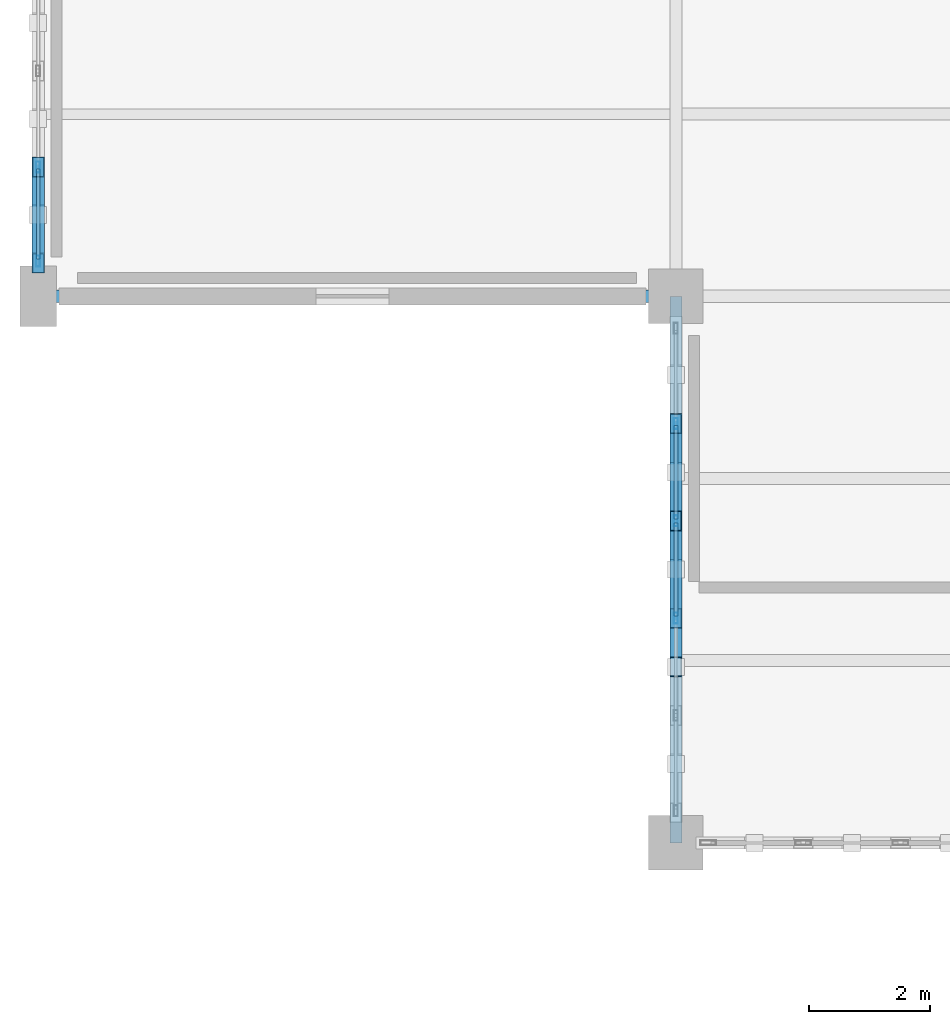
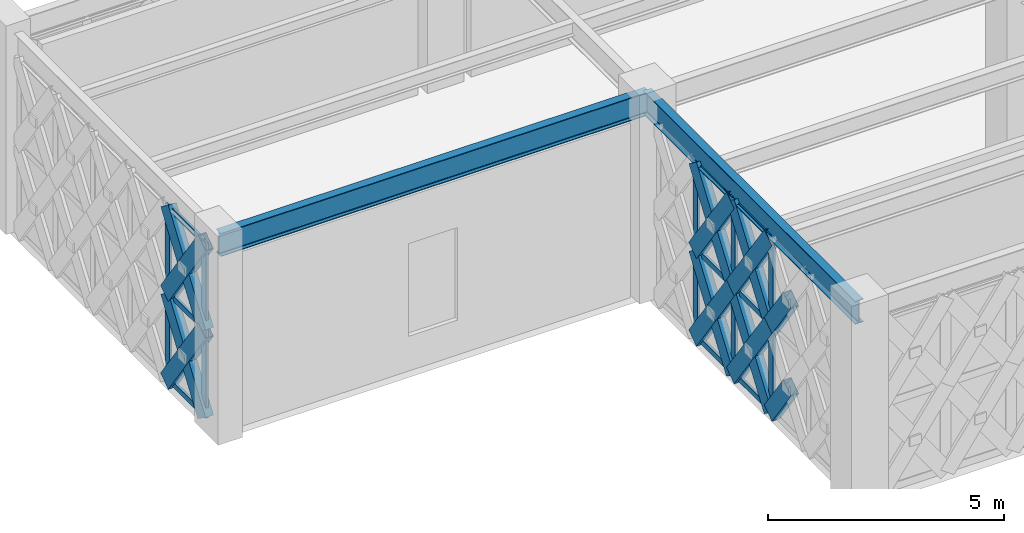
# One storey, part 12 of 166: 34 members, 2 beams, 2 elements without a shape of their own.
"""IFC4 building model written with IfcOpenShell, lengths in metres."""

from ifc_helpers import new_model, si_unit, direction, frame, origin, origin_2d, place, context, subcontext, project, spatial, hollow_rectangle, i_section, extrude, material, material_profile, profile_set, type_object, element, aggregate, save


model = new_model("IFC4")

# Units and contexts
model_context = context("Model", 3, precision=1e-05, world=origin(), true_north=direction((0.0, 1.0)))
body_context = subcontext(model_context, "Body", "Model", "MODEL_VIEW")
ifc_project = project(units=[si_unit("LENGTHUNIT", "METRE"), si_unit("AREAUNIT", "SQUARE_METRE"), si_unit("VOLUMEUNIT", "CUBIC_METRE"), si_unit("PLANEANGLEUNIT", "RADIAN"), si_unit("MASSUNIT", "GRAM", prefix="KILO")], contexts=[model_context])

# Site, building, storey
site_placement = place(None, origin())
site = spatial("IfcSite", under=ifc_project, at=site_placement, CompositionType="ELEMENT")
building_placement = place(site_placement, origin())
building = spatial("IfcBuilding", under=site, at=building_placement, Name="Haizhuo Lancet Aquarium", CompositionType="ELEMENT")
storey_placement = place(building_placement, frame((0.0, 0.0, 5.39990234375)))
storey = spatial("IfcBuildingStorey", under=building, at=storey_placement, Name="L01", CompositionType="ELEMENT", Elevation=5.39990234375)

# Beams
ifc_material_1 = material(Name="Steel S355", Category="steel")
ifc_material_profile_1 = material_profile(ifc_material_1, i_section(OverallWidth=0.199951171875, OverallDepth=0.60009765625, WebThickness=0.010986328125, FlangeThickness=0.01708984375, FilletRadius=0.02197265625, at=origin_2d()), Name="HN 600x200x11x17")
ifc_profile_set_1 = profile_set([ifc_material_profile_1], Name="Steel S355")
beam_type = type_object("IfcBeamType", Name="BM-ST-HN600", PredefinedType="BEAM", material=ifc_profile_set_1)
beam_1_placement = place(storey_placement, frame((-82.5, -18.0, 4.840087890625), z_axis=(1.0, 0.0, 0.0), x_axis=(0.0, 1.0, 0.0)))
element("IfcBeam", 1, at=beam_1_placement, inside=storey, type_object=beam_type, Name="L01 V6 primary girder BM-L01-V6-002", PredefinedType="BEAM", context=body_context, shape_type="SweptSolid", body=[
    extrude(i_section(OverallWidth=0.199951171875, OverallDepth=0.60009765625, WebThickness=0.010986328125, FlangeThickness=0.01708984375, FilletRadius=0.02197265625, at=origin_2d()), origin(), (0.0, 0.0, 1.0), 10.5),
])
beam_2_placement = place(storey_placement, frame((-72.0, -27.0, 4.840087890625), z_axis=(0.0, 1.0, 0.0), x_axis=(-1.0, 0.0, 0.0)))
element("IfcBeam", 2, at=beam_2_placement, inside=storey, type_object=beam_type, Name="L01 V6 primary girder BM-L01-V6-004", PredefinedType="BEAM", context=body_context, shape_type="SweptSolid", body=[
    extrude(i_section(OverallWidth=0.199951171875, OverallDepth=0.60009765625, WebThickness=0.010986328125, FlangeThickness=0.01708984375, FilletRadius=0.02197265625, at=origin_2d()), origin(), (0.0, 0.0, 1.0), 9.0),
])

# Curtain wall, members
ifc_material_2 = material(Name="Aluminium 6063-T6", Category="aluminium")
curtain_wall_type_1 = type_object("IfcCurtainWallType", Name="CWD-7910x4540", PredefinedType="NOTDEFINED", material=ifc_material_2)
curtain_wall_1_placement = place(storey_placement, origin())
curtain_wall_1 = element("IfcCurtainWall", 3, at=curtain_wall_1_placement, inside=storey, type_object=curtain_wall_type_1, Name="L01 curtain wall CW-V6-L01-202", PredefinedType="NOTDEFINED")
ifc_material_profile_2 = material_profile(ifc_material_2, hollow_rectangle(XDim=0.06494140625, YDim=0.179931640625, WallThickness=0.00390625, at=origin_2d()), Name="ALU-M 65x180x4")
ifc_profile_set_2 = profile_set([ifc_material_profile_2], Name="Aluminium 6063-T6")
member_type_1 = type_object("IfcMemberType", Name="CW-MUL-1", PredefinedType="MULLION", material=ifc_profile_set_2)
member_1_placement = place(storey_placement, frame((-82.5, -17.422119140625, 0.0), z_axis=(0.0, 0.0, 1.0), x_axis=(-1.0, 0.0, 0.0)))
member_1 = element("IfcMember", 4, at=member_1_placement, type_object=member_type_1, Name="CWD-79x45 mullion 1", PredefinedType="MULLION", context=body_context, shape_type="SweptSolid", body=[
    extrude(hollow_rectangle(XDim=0.06494140625, YDim=0.179931640625, WallThickness=0.00390625, at=origin_2d()), origin(), (0.0, 0.0, 1.0), 4.5400390625),
])
member_2_placement = place(storey_placement, frame((-82.5, -15.873046875, 0.0), z_axis=(0.0, 0.0, 1.0), x_axis=(-1.0, 0.0, 0.0)))
member_2 = element("IfcMember", 5, at=member_2_placement, type_object=member_type_1, Name="CWD-79x45 mullion 2", PredefinedType="MULLION", context=body_context, shape_type="SweptSolid", body=[
    extrude(hollow_rectangle(XDim=0.06494140625, YDim=0.179931640625, WallThickness=0.00390625, at=origin_2d()), origin(), (0.0, 0.0, 1.0), 4.5400390625),
])

curtain_wall_type_2 = type_object("IfcCurtainWallType", Name="CWD-8010x4540", PredefinedType="NOTDEFINED", material=ifc_material_2)
curtain_wall_2_placement = place(storey_placement, origin())
curtain_wall_2 = element("IfcCurtainWall", 6, at=curtain_wall_2_placement, inside=storey, type_object=curtain_wall_type_2, Name="L01 curtain wall CW-V6-L01-211", PredefinedType="NOTDEFINED")
member_3_placement = place(storey_placement, frame((-72.0, -23.301025390625, 0.0), z_axis=(0.0, 0.0, 1.0), x_axis=(-1.0, 0.0, 0.0)))
member_3 = element("IfcMember", 7, at=member_3_placement, type_object=member_type_1, Name="CWD-80x45 mullion 3", PredefinedType="MULLION", context=body_context, shape_type="SweptSolid", body=[
    extrude(hollow_rectangle(XDim=0.06494140625, YDim=0.179931640625, WallThickness=0.00390625, at=origin_2d()), origin(), (0.0, 0.0, 1.0), 4.5400390625),
])
member_4_placement = place(storey_placement, frame((-72.0, -21.698974609375, 0.0), z_axis=(0.0, 0.0, 1.0), x_axis=(-1.0, 0.0, 0.0)))
member_4 = element("IfcMember", 8, at=member_4_placement, type_object=member_type_1, Name="CWD-80x45 mullion 4", PredefinedType="MULLION", context=body_context, shape_type="SweptSolid", body=[
    extrude(hollow_rectangle(XDim=0.06494140625, YDim=0.179931640625, WallThickness=0.00390625, at=origin_2d()), origin(), (0.0, 0.0, 1.0), 4.5400390625),
])
member_5_placement = place(storey_placement, frame((-72.0, -20.096923828125, 0.0), z_axis=(0.0, 0.0, 1.0), x_axis=(-1.0, 0.0, 0.0)))
member_5 = element("IfcMember", 9, at=member_5_placement, type_object=member_type_1, Name="CWD-80x45 mullion 5", PredefinedType="MULLION", context=body_context, shape_type="SweptSolid", body=[
    extrude(hollow_rectangle(XDim=0.06494140625, YDim=0.179931640625, WallThickness=0.00390625, at=origin_2d()), origin(), (0.0, 0.0, 1.0), 4.5400390625),
])

# Member
ifc_material_profile_3 = material_profile(ifc_material_2, hollow_rectangle(XDim=0.06494140625, YDim=0.139892578125, WallThickness=0.00390625, at=origin_2d()), Name="ALU-T 65x140x4")
ifc_profile_set_3 = profile_set([ifc_material_profile_3], Name="Aluminium 6063-T6")
member_type_2 = type_object("IfcMemberType", Name="CW-TRN-1", PredefinedType="NOTDEFINED", material=ifc_profile_set_3)
member_6_placement = place(storey_placement, frame((-82.5, -17.389892578125, 0.033203125), z_axis=(0.0, 1.0, 0.0), x_axis=(-1.0, 0.0, 0.0)))
member_6 = element("IfcMember", 10, at=member_6_placement, type_object=member_type_2, Name="CWD-79x45 transom 1.1", ObjectType="TRANSOM", PredefinedType="USERDEFINED", context=body_context, shape_type="SweptSolid", body=[
    extrude(hollow_rectangle(XDim=0.06494140625, YDim=0.139892578125, WallThickness=0.00390625, at=origin_2d()), origin(), (0.0, 0.0, 1.0), 1.48486328125),
])

member_7_placement = place(storey_placement, frame((-82.5, -17.389892578125, 2.27001953125), z_axis=(0.0, 1.0, 0.0), x_axis=(-1.0, 0.0, 0.0)))
member_7 = element("IfcMember", 11, at=member_7_placement, type_object=member_type_2, Name="CWD-79x45 transom 1.2", ObjectType="TRANSOM", PredefinedType="USERDEFINED", context=body_context, shape_type="SweptSolid", body=[
    extrude(hollow_rectangle(XDim=0.06494140625, YDim=0.139892578125, WallThickness=0.00390625, at=origin_2d()), origin(), (0.0, 0.0, 1.0), 1.48486328125),
])

member_8_placement = place(storey_placement, frame((-82.5, -17.389892578125, 4.507080078125), z_axis=(0.0, 1.0, 0.0), x_axis=(-1.0, 0.0, 0.0)))
member_8 = element("IfcMember", 12, at=member_8_placement, type_object=member_type_2, Name="CWD-79x45 transom 1.3", ObjectType="TRANSOM", PredefinedType="USERDEFINED", context=body_context, shape_type="SweptSolid", body=[
    extrude(hollow_rectangle(XDim=0.06494140625, YDim=0.139892578125, WallThickness=0.00390625, at=origin_2d()), origin(), (0.0, 0.0, 1.0), 1.48486328125),
])

aggregate(curtain_wall_1, [member_1, member_2, member_6, member_7, member_8])

member_9_placement = place(storey_placement, frame((-72.0, -23.26806640625, 0.033203125), z_axis=(0.0, 1.0, 0.0), x_axis=(-1.0, 0.0, 0.0)))
member_9 = element("IfcMember", 13, at=member_9_placement, type_object=member_type_2, Name="CWD-80x45 transom 3.1", ObjectType="TRANSOM", PredefinedType="USERDEFINED", context=body_context, shape_type="SweptSolid", body=[
    extrude(hollow_rectangle(XDim=0.06494140625, YDim=0.139892578125, WallThickness=0.00390625, at=origin_2d()), origin(), (0.0, 0.0, 1.0), 1.5361328125),
])

member_10_placement = place(storey_placement, frame((-72.0, -23.26806640625, 2.27001953125), z_axis=(0.0, 1.0, 0.0), x_axis=(-1.0, 0.0, 0.0)))
member_10 = element("IfcMember", 14, at=member_10_placement, type_object=member_type_2, Name="CWD-80x45 transom 3.2", ObjectType="TRANSOM", PredefinedType="USERDEFINED", context=body_context, shape_type="SweptSolid", body=[
    extrude(hollow_rectangle(XDim=0.06494140625, YDim=0.139892578125, WallThickness=0.00390625, at=origin_2d()), origin(), (0.0, 0.0, 1.0), 1.5361328125),
])

member_11_placement = place(storey_placement, frame((-72.0, -23.26806640625, 4.507080078125), z_axis=(0.0, 1.0, 0.0), x_axis=(-1.0, 0.0, 0.0)))
member_11 = element("IfcMember", 15, at=member_11_placement, type_object=member_type_2, Name="CWD-80x45 transom 3.3", ObjectType="TRANSOM", PredefinedType="USERDEFINED", context=body_context, shape_type="SweptSolid", body=[
    extrude(hollow_rectangle(XDim=0.06494140625, YDim=0.139892578125, WallThickness=0.00390625, at=origin_2d()), origin(), (0.0, 0.0, 1.0), 1.5361328125),
])

member_12_placement = place(storey_placement, frame((-72.0, -21.666015625, 0.033203125), z_axis=(0.0, 1.0, 0.0), x_axis=(-1.0, 0.0, 0.0)))
member_12 = element("IfcMember", 16, at=member_12_placement, type_object=member_type_2, Name="CWD-80x45 transom 4.1", ObjectType="TRANSOM", PredefinedType="USERDEFINED", context=body_context, shape_type="SweptSolid", body=[
    extrude(hollow_rectangle(XDim=0.06494140625, YDim=0.139892578125, WallThickness=0.00390625, at=origin_2d()), origin(), (0.0, 0.0, 1.0), 1.5361328125),
])

member_13_placement = place(storey_placement, frame((-72.0, -21.666015625, 2.27001953125), z_axis=(0.0, 1.0, 0.0), x_axis=(-1.0, 0.0, 0.0)))
member_13 = element("IfcMember", 17, at=member_13_placement, type_object=member_type_2, Name="CWD-80x45 transom 4.2", ObjectType="TRANSOM", PredefinedType="USERDEFINED", context=body_context, shape_type="SweptSolid", body=[
    extrude(hollow_rectangle(XDim=0.06494140625, YDim=0.139892578125, WallThickness=0.00390625, at=origin_2d()), origin(), (0.0, 0.0, 1.0), 1.5361328125),
])

member_14_placement = place(storey_placement, frame((-72.0, -21.666015625, 4.507080078125), z_axis=(0.0, 1.0, 0.0), x_axis=(-1.0, 0.0, 0.0)))
member_14 = element("IfcMember", 18, at=member_14_placement, type_object=member_type_2, Name="CWD-80x45 transom 4.3", ObjectType="TRANSOM", PredefinedType="USERDEFINED", context=body_context, shape_type="SweptSolid", body=[
    extrude(hollow_rectangle(XDim=0.06494140625, YDim=0.139892578125, WallThickness=0.00390625, at=origin_2d()), origin(), (0.0, 0.0, 1.0), 1.5361328125),
])

aggregate(curtain_wall_2, [member_3, member_4, member_5, member_9, member_10, member_11, member_12, member_13, member_14])

# Members
ifc_material_profile_4 = material_profile(ifc_material_1, hollow_rectangle(XDim=0.199951171875, YDim=0.39990234375, WallThickness=0.011962890625, at=origin_2d()), Name="RHS 200x400x12")
ifc_profile_set_4 = profile_set([ifc_material_profile_4], Name="Steel S355")
member_type_3 = type_object("IfcMemberType", Name="MEM-LB-RHS200x400", PredefinedType="BRACE", material=ifc_profile_set_4)
member_15_placement = place(storey_placement, frame((-82.5, -17.455078125, 0.0), z_axis=(0.0, 0.571767466794, 0.820415726273), x_axis=(-1.0, 0.0, 0.0)))
element("IfcMember", 19, at=member_15_placement, inside=storey, type_object=member_type_3, Name="Gothic lancet continuous diagonal brace CW-V6-L01-202 1A", PredefinedType="BRACE", context=body_context, shape_type="SweptSolid", body=[
    extrude(hollow_rectangle(XDim=0.199951171875, YDim=0.39990234375, WallThickness=0.011962890625, at=origin_2d()), origin(), (0.0, 0.0, 1.0), 2.766845703125),
])
for number, where, z_axis, x_axis, name in (
    (20, (-82.5, -15.873046875, 0.0), (0.0, -0.571767466794, 0.820415726273), (1.0, 0.0, 0.0), "Gothic lancet split diagonal brace CW-V6-L01-202 1B1"),
    (21, (-82.5, -16.6640625, 1.135009765625), (0.0, -0.571767466794, 0.820415726273), (1.0, 0.0, 0.0), "Gothic lancet split diagonal brace CW-V6-L01-202 1B2"),
):
    element("IfcMember", number, at=place(storey_placement, frame(where, z_axis=z_axis, x_axis=x_axis)), inside=storey, type_object=member_type_3, Name=name, PredefinedType="BRACE", context=body_context, shape_type="SweptSolid", body=[
        extrude(hollow_rectangle(XDim=0.199951171875, YDim=0.39990234375, WallThickness=0.011962890625, at=origin_2d()), origin(), (0.0, 0.0, 1.0), 1.383544921875),
    ])
member_16_placement = place(storey_placement, frame((-82.5, -17.455078125, 2.27001953125), z_axis=(0.0, 0.571767466794, 0.820415726273), x_axis=(-1.0, 0.0, 0.0)))
element("IfcMember", 22, at=member_16_placement, inside=storey, type_object=member_type_3, Name="Gothic lancet continuous diagonal brace CW-V6-L01-202 2A", PredefinedType="BRACE", context=body_context, shape_type="SweptSolid", body=[
    extrude(hollow_rectangle(XDim=0.199951171875, YDim=0.39990234375, WallThickness=0.011962890625, at=origin_2d()), origin(), (0.0, 0.0, 1.0), 2.766845703125),
])
for number, where, z_axis, x_axis, name in (
    (23, (-82.5, -15.873046875, 2.27001953125), (0.0, -0.571767466794, 0.820415726273), (1.0, 0.0, 0.0), "Gothic lancet split diagonal brace CW-V6-L01-202 2B1"),
    (24, (-82.5, -16.6640625, 3.405029296875), (0.0, -0.571767466794, 0.820415726273), (1.0, 0.0, 0.0), "Gothic lancet split diagonal brace CW-V6-L01-202 2B2"),
):
    element("IfcMember", number, at=place(storey_placement, frame(where, z_axis=z_axis, x_axis=x_axis)), inside=storey, type_object=member_type_3, Name=name, PredefinedType="BRACE", context=body_context, shape_type="SweptSolid", body=[
        extrude(hollow_rectangle(XDim=0.199951171875, YDim=0.39990234375, WallThickness=0.011962890625, at=origin_2d()), origin(), (0.0, 0.0, 1.0), 1.383544921875),
    ])
for number, where, z_axis, x_axis, name in (
    (25, (-72.0, -23.301025390625, 0.0), (0.0, -0.576607297585, 0.817021434463), (1.0, 0.0, 0.0), "Gothic lancet split diagonal brace CW-V6-L01-211 3B1"),
    (26, (-72.0, -23.301025390625, 2.27001953125), (0.0, -0.576607297585, 0.817021434463), (1.0, 0.0, 0.0), "Gothic lancet split diagonal brace CW-V6-L01-211 4B1"),
):
    element("IfcMember", number, at=place(storey_placement, frame(where, z_axis=z_axis, x_axis=x_axis)), inside=storey, type_object=member_type_3, Name=name, PredefinedType="BRACE", context=body_context, shape_type="SweptSolid", body=[
        extrude(hollow_rectangle(XDim=0.199951171875, YDim=0.39990234375, WallThickness=0.011962890625, at=origin_2d()), origin(), (0.0, 0.0, 1.0), 1.38916015625),
    ])
member_17_placement = place(storey_placement, frame((-72.0, -23.301025390625, 0.0), z_axis=(0.0, 0.576607297585, 0.817021434463), x_axis=(-1.0, 0.0, 0.0)))
element("IfcMember", 27, at=member_17_placement, inside=storey, type_object=member_type_3, Name="Gothic lancet continuous diagonal brace CW-V6-L01-211 5A", PredefinedType="BRACE", context=body_context, shape_type="SweptSolid", body=[
    extrude(hollow_rectangle(XDim=0.199951171875, YDim=0.39990234375, WallThickness=0.011962890625, at=origin_2d()), origin(), (0.0, 0.0, 1.0), 2.7783203125),
])
for number, where, z_axis, x_axis, name in (
    (28, (-72.0, -21.698974609375, 0.0), (0.0, -0.576607297585, 0.817021434463), (1.0, 0.0, 0.0), "Gothic lancet split diagonal brace CW-V6-L01-211 5B1"),
    (29, (-72.0, -22.5, 1.135009765625), (0.0, -0.576607297585, 0.817021434463), (1.0, 0.0, 0.0), "Gothic lancet split diagonal brace CW-V6-L01-211 5B2"),
):
    element("IfcMember", number, at=place(storey_placement, frame(where, z_axis=z_axis, x_axis=x_axis)), inside=storey, type_object=member_type_3, Name=name, PredefinedType="BRACE", context=body_context, shape_type="SweptSolid", body=[
        extrude(hollow_rectangle(XDim=0.199951171875, YDim=0.39990234375, WallThickness=0.011962890625, at=origin_2d()), origin(), (0.0, 0.0, 1.0), 1.38916015625),
    ])
member_18_placement = place(storey_placement, frame((-72.0, -23.301025390625, 2.27001953125), z_axis=(0.0, 0.576607297585, 0.817021434463), x_axis=(-1.0, 0.0, 0.0)))
element("IfcMember", 30, at=member_18_placement, inside=storey, type_object=member_type_3, Name="Gothic lancet continuous diagonal brace CW-V6-L01-211 6A", PredefinedType="BRACE", context=body_context, shape_type="SweptSolid", body=[
    extrude(hollow_rectangle(XDim=0.199951171875, YDim=0.39990234375, WallThickness=0.011962890625, at=origin_2d()), origin(), (0.0, 0.0, 1.0), 2.7783203125),
])
for number, where, z_axis, x_axis, name in (
    (31, (-72.0, -21.698974609375, 2.27001953125), (0.0, -0.576607297585, 0.817021434463), (1.0, 0.0, 0.0), "Gothic lancet split diagonal brace CW-V6-L01-211 6B1"),
    (32, (-72.0, -22.5, 3.405029296875), (0.0, -0.576607297585, 0.817021434463), (1.0, 0.0, 0.0), "Gothic lancet split diagonal brace CW-V6-L01-211 6B2"),
):
    element("IfcMember", number, at=place(storey_placement, frame(where, z_axis=z_axis, x_axis=x_axis)), inside=storey, type_object=member_type_3, Name=name, PredefinedType="BRACE", context=body_context, shape_type="SweptSolid", body=[
        extrude(hollow_rectangle(XDim=0.199951171875, YDim=0.39990234375, WallThickness=0.011962890625, at=origin_2d()), origin(), (0.0, 0.0, 1.0), 1.38916015625),
    ])
member_19_placement = place(storey_placement, frame((-72.0, -21.698974609375, 0.0), z_axis=(0.0, 0.576607297585, 0.817021434463), x_axis=(-1.0, 0.0, 0.0)))
element("IfcMember", 33, at=member_19_placement, inside=storey, type_object=member_type_3, Name="Gothic lancet continuous diagonal brace CW-V6-L01-211 7A", PredefinedType="BRACE", context=body_context, shape_type="SweptSolid", body=[
    extrude(hollow_rectangle(XDim=0.199951171875, YDim=0.39990234375, WallThickness=0.011962890625, at=origin_2d()), origin(), (0.0, 0.0, 1.0), 2.7783203125),
])
for number, where, z_axis, x_axis, name in (
    (34, (-72.0, -20.096923828125, 0.0), (0.0, -0.576607297585, 0.817021434463), (1.0, 0.0, 0.0), "Gothic lancet split diagonal brace CW-V6-L01-211 7B1"),
    (35, (-72.0, -20.89794921875, 1.135009765625), (0.0, -0.576607297585, 0.817021434463), (1.0, 0.0, 0.0), "Gothic lancet split diagonal brace CW-V6-L01-211 7B2"),
):
    element("IfcMember", number, at=place(storey_placement, frame(where, z_axis=z_axis, x_axis=x_axis)), inside=storey, type_object=member_type_3, Name=name, PredefinedType="BRACE", context=body_context, shape_type="SweptSolid", body=[
        extrude(hollow_rectangle(XDim=0.199951171875, YDim=0.39990234375, WallThickness=0.011962890625, at=origin_2d()), origin(), (0.0, 0.0, 1.0), 1.38916015625),
    ])
member_20_placement = place(storey_placement, frame((-72.0, -21.698974609375, 2.27001953125), z_axis=(0.0, 0.576607297585, 0.817021434463), x_axis=(-1.0, 0.0, 0.0)))
element("IfcMember", 36, at=member_20_placement, inside=storey, type_object=member_type_3, Name="Gothic lancet continuous diagonal brace CW-V6-L01-211 8A", PredefinedType="BRACE", context=body_context, shape_type="SweptSolid", body=[
    extrude(hollow_rectangle(XDim=0.199951171875, YDim=0.39990234375, WallThickness=0.011962890625, at=origin_2d()), origin(), (0.0, 0.0, 1.0), 2.7783203125),
])
for number, where, z_axis, x_axis, name in (
    (37, (-72.0, -20.096923828125, 2.27001953125), (0.0, -0.576607297585, 0.817021434463), (1.0, 0.0, 0.0), "Gothic lancet split diagonal brace CW-V6-L01-211 8B1"),
    (38, (-72.0, -20.89794921875, 3.405029296875), (0.0, -0.576607297585, 0.817021434463), (1.0, 0.0, 0.0), "Gothic lancet split diagonal brace CW-V6-L01-211 8B2"),
):
    element("IfcMember", number, at=place(storey_placement, frame(where, z_axis=z_axis, x_axis=x_axis)), inside=storey, type_object=member_type_3, Name=name, PredefinedType="BRACE", context=body_context, shape_type="SweptSolid", body=[
        extrude(hollow_rectangle(XDim=0.199951171875, YDim=0.39990234375, WallThickness=0.011962890625, at=origin_2d()), origin(), (0.0, 0.0, 1.0), 1.38916015625),
    ])

save(model, "model.ifc")
